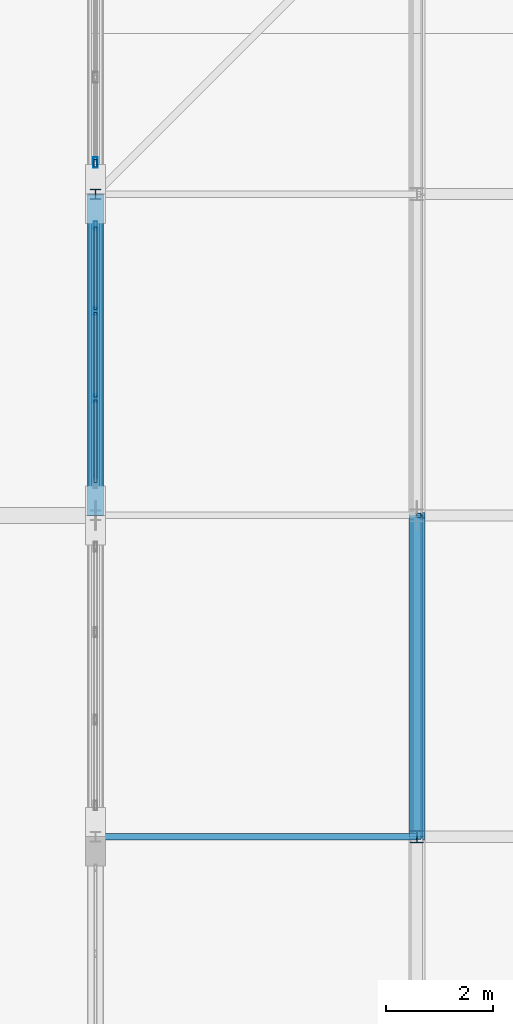
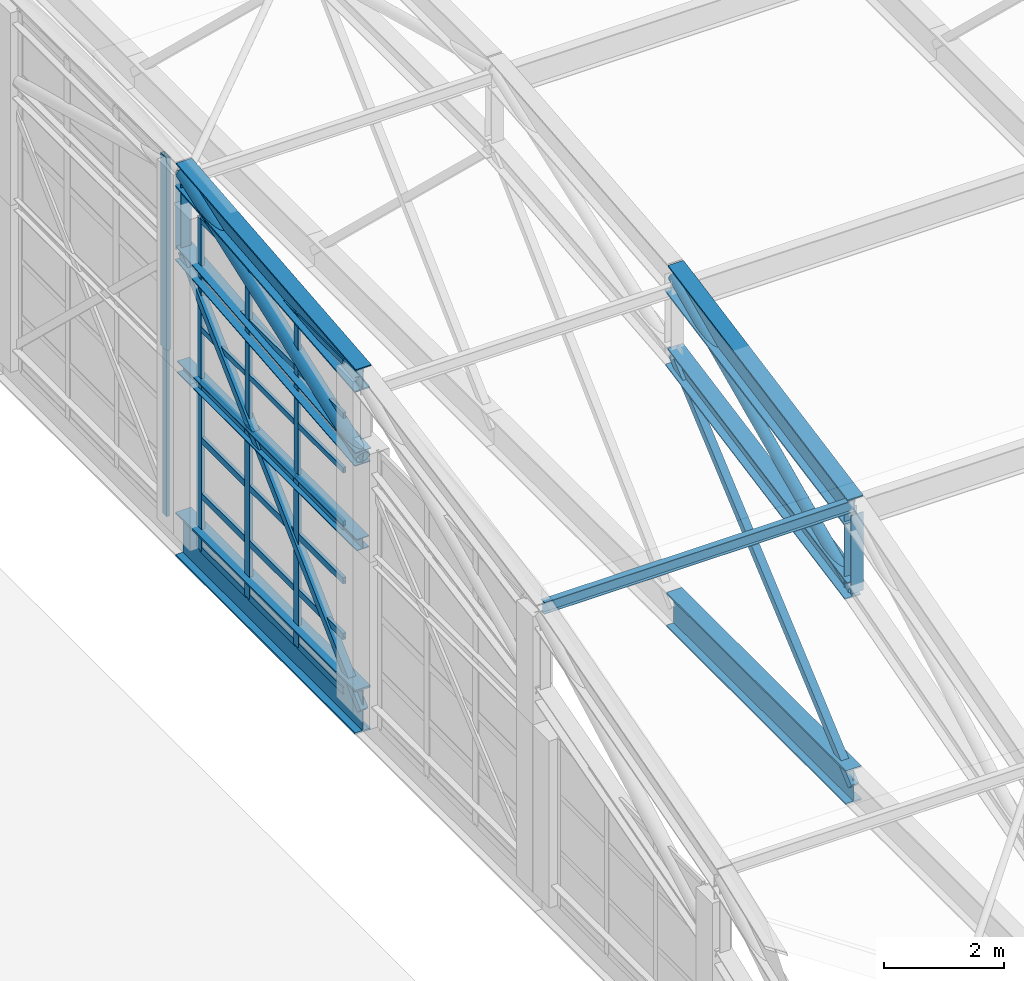
# One storey, part 79 of 204: 46 members, 4 elements without a shape of their own.
"""IFC4 building model written with IfcOpenShell, lengths in metres."""

from ifc_helpers import new_model, si_unit, direction, frame, origin, origin_2d, place, context, subcontext, project, spatial, hollow_rectangle, hollow_circle, i_section, extrude, material, layer, layer_set, material_profile, profile_set, type_object, element, aggregate, save


model = new_model("IFC4")

# Units and contexts
model_context = context("Model", 3, precision=1e-05, world=origin(), true_north=direction((0.0, 1.0)))
body_context = subcontext(model_context, "Body", "Model", "MODEL_VIEW")
ifc_project = project(units=[si_unit("LENGTHUNIT", "METRE"), si_unit("AREAUNIT", "SQUARE_METRE"), si_unit("VOLUMEUNIT", "CUBIC_METRE"), si_unit("PLANEANGLEUNIT", "RADIAN"), si_unit("MASSUNIT", "GRAM", prefix="KILO")], contexts=[model_context])

# Site, building, storey
site_placement = place(None, origin())
site = spatial("IfcSite", under=ifc_project, at=site_placement, CompositionType="ELEMENT")
building_placement = place(site_placement, origin())
building = spatial("IfcBuilding", under=site, at=building_placement, Name="Zilviju Railside Exhibition Hall", CompositionType="ELEMENT")
storey_placement = place(building_placement, frame((0.0, 0.0, 21.0)))
storey = spatial("IfcBuildingStorey", under=building, at=storey_placement, Name="RF", CompositionType="ELEMENT", Elevation=21.0)

# Curtain wall, member
ifc_material_1 = material(Name="Thermally broken aluminium-steel triple-glazed curtain wall", Category="steel")
ifc_layer_1 = layer(ifc_material_1, 0.179931640625)
ifc_layer_set_1 = layer_set([ifc_layer_1], Name="Thermally broken aluminium-steel triple-glazed curtain wall")
curtain_wall_type_1 = type_object("IfcCurtainWallType", Name="CW-BAY-03", PredefinedType="USERDEFINED", material=ifc_layer_set_1)
curtain_wall_1_placement = place(storey_placement, origin())
curtain_wall_1 = element("IfcCurtainWall", 1, at=curtain_wall_1_placement, inside=storey, type_object=curtain_wall_type_1, Name="North Hall Arch Lower Tympanum Glazing West P5", ObjectType="GLAZED CURTAIN WALL", PredefinedType="USERDEFINED")
ifc_material_2 = material(Name="Thermally broken anodized aluminium mullion", Category="aluminium")
ifc_material_profile_1 = material_profile(ifc_material_2, hollow_rectangle(XDim=0.06005859375, YDim=0.139892578125, WallThickness=0.0048828125, at=origin_2d()), Name="MULLION 140x60x5")
ifc_profile_set_1 = profile_set([ifc_material_profile_1], Name="Thermally broken anodized aluminium mullion")
member_type_1 = type_object("IfcMemberType", Name="CWM-60x140", PredefinedType="MULLION", material=ifc_profile_set_1)
member_1_placement = place(storey_placement, frame((78.0, 108.580078125, -3.60009765625), z_axis=(0.0, 0.0, 1.0), x_axis=(-1.0, 0.0, 0.0)))
member_1 = element("IfcMember", 2, at=member_1_placement, type_object=member_type_1, Name="CW-03 mullion 1", PredefinedType="MULLION", context=body_context, shape_type="SweptSolid", body=[
    extrude(hollow_rectangle(XDim=0.06005859375, YDim=0.139892578125, WallThickness=0.0048828125, at=origin_2d()), origin(), (0.0, 0.0, 1.0), 3.400146484375),
])
aggregate(curtain_wall_1, [member_1])

# Curtain wall, members
ifc_layer_2 = layer(ifc_material_1, 0.179931640625)
ifc_layer_set_2 = layer_set([ifc_layer_2], Name="Thermally broken aluminium-steel triple-glazed curtain wall")
curtain_wall_type_2 = type_object("IfcCurtainWallType", Name="CW-BAY-09", PredefinedType="USERDEFINED", material=ifc_layer_set_2)
curtain_wall_2_placement = place(storey_placement, origin())
curtain_wall_2 = element("IfcCurtainWall", 3, at=curtain_wall_2_placement, inside=storey, type_object=curtain_wall_type_2, Name="North Hall Crown Arch Tympanum Glazing West P4", ObjectType="GLAZED CURTAIN WALL", PredefinedType="USERDEFINED")
member_2_placement = place(storey_placement, frame((78.0, 104.183349609375, -0.199951171875), z_axis=(0.0, 0.0, 1.0), x_axis=(-1.0, 0.0, 0.0)))
member_2 = element("IfcMember", 4, at=member_2_placement, type_object=member_type_1, Name="CW-09 mullion 2", PredefinedType="MULLION", context=body_context, shape_type="SweptSolid", body=[
    extrude(hollow_rectangle(XDim=0.06005859375, YDim=0.139892578125, WallThickness=0.0048828125, at=origin_2d()), origin(), (0.0, 0.0, 1.0), 3.35546875),
])
member_3_placement = place(storey_placement, frame((78.0, 105.816650390625, -0.199951171875), z_axis=(0.0, 0.0, 1.0), x_axis=(-1.0, 0.0, 0.0)))
member_3 = element("IfcMember", 5, at=member_3_placement, type_object=member_type_1, Name="CW-09 mullion 3", PredefinedType="MULLION", context=body_context, shape_type="SweptSolid", body=[
    extrude(hollow_rectangle(XDim=0.06005859375, YDim=0.139892578125, WallThickness=0.0048828125, at=origin_2d()), origin(), (0.0, 0.0, 1.0), 3.35546875),
])
member_4_placement = place(storey_placement, frame((78.0, 107.419921875, -0.199951171875), z_axis=(0.0, 0.0, 1.0), x_axis=(-1.0, 0.0, 0.0)))
member_4 = element("IfcMember", 6, at=member_4_placement, type_object=member_type_1, Name="CW-09 mullion 4", PredefinedType="MULLION", context=body_context, shape_type="SweptSolid", body=[
    extrude(hollow_rectangle(XDim=0.06005859375, YDim=0.139892578125, WallThickness=0.0048828125, at=origin_2d()), origin(), (0.0, 0.0, 1.0), 3.35546875),
])

ifc_layer_3 = layer(ifc_material_1, 0.179931640625)
ifc_layer_set_3 = layer_set([ifc_layer_3], Name="Thermally broken aluminium-steel triple-glazed curtain wall")
curtain_wall_type_3 = type_object("IfcCurtainWallType", Name="CW-BAY-02", PredefinedType="USERDEFINED", material=ifc_layer_set_3)
curtain_wall_3_placement = place(storey_placement, origin())
curtain_wall_3 = element("IfcCurtainWall", 7, at=curtain_wall_3_placement, inside=storey, type_object=curtain_wall_type_3, Name="North Hall Arch Lower Tympanum Glazing West P4", ObjectType="GLAZED CURTAIN WALL", PredefinedType="USERDEFINED")
ifc_material_profile_2 = material_profile(ifc_material_2, hollow_rectangle(XDim=0.06494140625, YDim=0.159912109375, WallThickness=0.0048828125, at=origin_2d()), Name="MULLION 160x65x5")
ifc_profile_set_2 = profile_set([ifc_material_profile_2], Name="Thermally broken anodized aluminium mullion")
member_type_2 = type_object("IfcMemberType", Name="CWM-65x160", PredefinedType="MULLION", material=ifc_profile_set_2)
member_5_placement = place(storey_placement, frame((78.0, 104.183349609375, -3.60009765625), z_axis=(0.0, 0.0, 1.0), x_axis=(-1.0, 0.0, 0.0)))
member_5 = element("IfcMember", 8, at=member_5_placement, type_object=member_type_2, Name="CW-02 mullion 2", PredefinedType="MULLION", context=body_context, shape_type="SweptSolid", body=[
    extrude(hollow_rectangle(XDim=0.06494140625, YDim=0.159912109375, WallThickness=0.0048828125, at=origin_2d()), origin(), (0.0, 0.0, 1.0), 3.400146484375),
])
member_6_placement = place(storey_placement, frame((78.0, 105.816650390625, -3.60009765625), z_axis=(0.0, 0.0, 1.0), x_axis=(-1.0, 0.0, 0.0)))
member_6 = element("IfcMember", 9, at=member_6_placement, type_object=member_type_2, Name="CW-02 mullion 3", PredefinedType="MULLION", context=body_context, shape_type="SweptSolid", body=[
    extrude(hollow_rectangle(XDim=0.06494140625, YDim=0.159912109375, WallThickness=0.0048828125, at=origin_2d()), origin(), (0.0, 0.0, 1.0), 3.400146484375),
])
member_7_placement = place(storey_placement, frame((78.0, 107.41748046875, -3.60009765625), z_axis=(0.0, 0.0, 1.0), x_axis=(-1.0, 0.0, 0.0)))
member_7 = element("IfcMember", 10, at=member_7_placement, type_object=member_type_2, Name="CW-02 mullion 4", PredefinedType="MULLION", context=body_context, shape_type="SweptSolid", body=[
    extrude(hollow_rectangle(XDim=0.06494140625, YDim=0.159912109375, WallThickness=0.0048828125, at=origin_2d()), origin(), (0.0, 0.0, 1.0), 3.400146484375),
])

# Curtain wall, member
ifc_layer_4 = layer(ifc_material_1, 0.179931640625)
ifc_layer_set_4 = layer_set([ifc_layer_4], Name="Thermally broken aluminium-steel triple-glazed curtain wall")
curtain_wall_type_4 = type_object("IfcCurtainWallType", Name="CW-BAY-10", PredefinedType="USERDEFINED", material=ifc_layer_set_4)
curtain_wall_4_placement = place(storey_placement, origin())
curtain_wall_4 = element("IfcCurtainWall", 11, at=curtain_wall_4_placement, inside=storey, type_object=curtain_wall_type_4, Name="North Hall Crown Arch Tympanum Glazing West P5", ObjectType="GLAZED CURTAIN WALL", PredefinedType="USERDEFINED")
ifc_material_profile_3 = material_profile(ifc_material_2, hollow_rectangle(XDim=0.080078125, YDim=0.199951171875, WallThickness=0.0048828125, at=origin_2d()), Name="MULLION 200x80x5")
ifc_profile_set_3 = profile_set([ifc_material_profile_3], Name="Thermally broken anodized aluminium mullion")
member_type_3 = type_object("IfcMemberType", Name="CWM-80x200", PredefinedType="MULLION", material=ifc_profile_set_3)
member_8_placement = place(storey_placement, frame((78.0, 108.590087890625, -0.199951171875), z_axis=(0.0, 0.0, 1.0), x_axis=(-1.0, 0.0, 0.0)))
member_8 = element("IfcMember", 12, at=member_8_placement, type_object=member_type_3, Name="CW-10 mullion 1", PredefinedType="MULLION", context=body_context, shape_type="SweptSolid", body=[
    extrude(hollow_rectangle(XDim=0.080078125, YDim=0.199951171875, WallThickness=0.0048828125, at=origin_2d()), origin(), (0.0, 0.0, 1.0), 3.928466796875),
])
aggregate(curtain_wall_4, [member_8])

# Member
ifc_material_3 = material(Name="Thermally broken anodized aluminium transom", Category="aluminium")
ifc_material_profile_4 = material_profile(ifc_material_3, hollow_rectangle(XDim=0.06005859375, YDim=0.110107421875, WallThickness=0.0048828125, at=origin_2d()), Name="TRANSOM 110x60x5")
ifc_profile_set_4 = profile_set([ifc_material_profile_4], Name="Thermally broken anodized aluminium transom")
member_type_4 = type_object("IfcMemberType", Name="CWT-60x110", PredefinedType="USERDEFINED", material=ifc_profile_set_4)
member_9_placement = place(storey_placement, frame((78.0, 102.610107421875, -0.169921875), z_axis=(0.0, 1.0, 0.0), x_axis=(-1.0, 0.0, 0.0)))
member_9 = element("IfcMember", 13, at=member_9_placement, type_object=member_type_4, Name="CW-09 transom 1.1", ObjectType="TRANSOM", PredefinedType="USERDEFINED", context=body_context, shape_type="SweptSolid", body=[
    extrude(hollow_rectangle(XDim=0.06005859375, YDim=0.110107421875, WallThickness=0.0048828125, at=origin_2d()), origin(), (0.0, 0.0, 1.0), 1.543212890625),
])

member_10_placement = place(storey_placement, frame((78.0, 102.610107421875, 0.9189453125), z_axis=(0.0, 1.0, 0.0), x_axis=(-1.0, 0.0, 0.0)))
member_10 = element("IfcMember", 14, at=member_10_placement, type_object=member_type_4, Name="CW-09 transom 1.2", ObjectType="TRANSOM", PredefinedType="USERDEFINED", context=body_context, shape_type="SweptSolid", body=[
    extrude(hollow_rectangle(XDim=0.06005859375, YDim=0.110107421875, WallThickness=0.0048828125, at=origin_2d()), origin(), (0.0, 0.0, 1.0), 1.543212890625),
])

member_11_placement = place(storey_placement, frame((78.0, 102.610107421875, 2.037109375), z_axis=(0.0, 1.0, 0.0), x_axis=(-1.0, 0.0, 0.0)))
member_11 = element("IfcMember", 15, at=member_11_placement, type_object=member_type_4, Name="CW-09 transom 1.3", ObjectType="TRANSOM", PredefinedType="USERDEFINED", context=body_context, shape_type="SweptSolid", body=[
    extrude(hollow_rectangle(XDim=0.06005859375, YDim=0.110107421875, WallThickness=0.0048828125, at=origin_2d()), origin(), (0.0, 0.0, 1.0), 1.543212890625),
])

member_12_placement = place(storey_placement, frame((78.0, 102.610107421875, 3.12548828125), z_axis=(0.0, 1.0, 0.0), x_axis=(-1.0, 0.0, 0.0)))
member_12 = element("IfcMember", 16, at=member_12_placement, type_object=member_type_4, Name="CW-09 transom 1.4", ObjectType="TRANSOM", PredefinedType="USERDEFINED", context=body_context, shape_type="SweptSolid", body=[
    extrude(hollow_rectangle(XDim=0.06005859375, YDim=0.110107421875, WallThickness=0.0048828125, at=origin_2d()), origin(), (0.0, 0.0, 1.0), 1.543212890625),
])

member_13_placement = place(storey_placement, frame((78.0, 104.21337890625, -0.169921875), z_axis=(0.0, 1.0, 0.0), x_axis=(-1.0, 0.0, 0.0)))
member_13 = element("IfcMember", 17, at=member_13_placement, type_object=member_type_4, Name="CW-09 transom 2.1", ObjectType="TRANSOM", PredefinedType="USERDEFINED", context=body_context, shape_type="SweptSolid", body=[
    extrude(hollow_rectangle(XDim=0.06005859375, YDim=0.110107421875, WallThickness=0.0048828125, at=origin_2d()), origin(), (0.0, 0.0, 1.0), 1.5732421875),
])

member_14_placement = place(storey_placement, frame((78.0, 104.21337890625, 0.9189453125), z_axis=(0.0, 1.0, 0.0), x_axis=(-1.0, 0.0, 0.0)))
member_14 = element("IfcMember", 18, at=member_14_placement, type_object=member_type_4, Name="CW-09 transom 2.2", ObjectType="TRANSOM", PredefinedType="USERDEFINED", context=body_context, shape_type="SweptSolid", body=[
    extrude(hollow_rectangle(XDim=0.06005859375, YDim=0.110107421875, WallThickness=0.0048828125, at=origin_2d()), origin(), (0.0, 0.0, 1.0), 1.5732421875),
])

member_15_placement = place(storey_placement, frame((78.0, 104.21337890625, 2.037109375), z_axis=(0.0, 1.0, 0.0), x_axis=(-1.0, 0.0, 0.0)))
member_15 = element("IfcMember", 19, at=member_15_placement, type_object=member_type_4, Name="CW-09 transom 2.3", ObjectType="TRANSOM", PredefinedType="USERDEFINED", context=body_context, shape_type="SweptSolid", body=[
    extrude(hollow_rectangle(XDim=0.06005859375, YDim=0.110107421875, WallThickness=0.0048828125, at=origin_2d()), origin(), (0.0, 0.0, 1.0), 1.5732421875),
])

member_16_placement = place(storey_placement, frame((78.0, 104.21337890625, 3.12548828125), z_axis=(0.0, 1.0, 0.0), x_axis=(-1.0, 0.0, 0.0)))
member_16 = element("IfcMember", 20, at=member_16_placement, type_object=member_type_4, Name="CW-09 transom 2.4", ObjectType="TRANSOM", PredefinedType="USERDEFINED", context=body_context, shape_type="SweptSolid", body=[
    extrude(hollow_rectangle(XDim=0.06005859375, YDim=0.110107421875, WallThickness=0.0048828125, at=origin_2d()), origin(), (0.0, 0.0, 1.0), 1.5732421875),
])

member_17_placement = place(storey_placement, frame((78.0, 105.8466796875, -0.169921875), z_axis=(0.0, 1.0, 0.0), x_axis=(-1.0, 0.0, 0.0)))
member_17 = element("IfcMember", 21, at=member_17_placement, type_object=member_type_4, Name="CW-09 transom 3.1", ObjectType="TRANSOM", PredefinedType="USERDEFINED", context=body_context, shape_type="SweptSolid", body=[
    extrude(hollow_rectangle(XDim=0.06005859375, YDim=0.110107421875, WallThickness=0.0048828125, at=origin_2d()), origin(), (0.0, 0.0, 1.0), 1.543212890625),
])

member_18_placement = place(storey_placement, frame((78.0, 105.8466796875, 0.9189453125), z_axis=(0.0, 1.0, 0.0), x_axis=(-1.0, 0.0, 0.0)))
member_18 = element("IfcMember", 22, at=member_18_placement, type_object=member_type_4, Name="CW-09 transom 3.2", ObjectType="TRANSOM", PredefinedType="USERDEFINED", context=body_context, shape_type="SweptSolid", body=[
    extrude(hollow_rectangle(XDim=0.06005859375, YDim=0.110107421875, WallThickness=0.0048828125, at=origin_2d()), origin(), (0.0, 0.0, 1.0), 1.543212890625),
])

member_19_placement = place(storey_placement, frame((78.0, 105.8466796875, 2.037109375), z_axis=(0.0, 1.0, 0.0), x_axis=(-1.0, 0.0, 0.0)))
member_19 = element("IfcMember", 23, at=member_19_placement, type_object=member_type_4, Name="CW-09 transom 3.3", ObjectType="TRANSOM", PredefinedType="USERDEFINED", context=body_context, shape_type="SweptSolid", body=[
    extrude(hollow_rectangle(XDim=0.06005859375, YDim=0.110107421875, WallThickness=0.0048828125, at=origin_2d()), origin(), (0.0, 0.0, 1.0), 1.543212890625),
])

member_20_placement = place(storey_placement, frame((78.0, 105.8466796875, 3.12548828125), z_axis=(0.0, 1.0, 0.0), x_axis=(-1.0, 0.0, 0.0)))
member_20 = element("IfcMember", 24, at=member_20_placement, type_object=member_type_4, Name="CW-09 transom 3.4", ObjectType="TRANSOM", PredefinedType="USERDEFINED", context=body_context, shape_type="SweptSolid", body=[
    extrude(hollow_rectangle(XDim=0.06005859375, YDim=0.110107421875, WallThickness=0.0048828125, at=origin_2d()), origin(), (0.0, 0.0, 1.0), 1.543212890625),
])

aggregate(curtain_wall_2, [member_2, member_3, member_4, member_9, member_10, member_11, member_12, member_13, member_14, member_15, member_16, member_17, member_18, member_19, member_20])

ifc_material_profile_5 = material_profile(ifc_material_3, hollow_rectangle(XDim=0.06494140625, YDim=0.1298828125, WallThickness=0.0048828125, at=origin_2d()), Name="TRANSOM 130x65x5")
ifc_profile_set_5 = profile_set([ifc_material_profile_5], Name="Thermally broken anodized aluminium transom")
member_type_5 = type_object("IfcMemberType", Name="CWT-65x130", PredefinedType="USERDEFINED", material=ifc_profile_set_5)
member_21_placement = place(storey_placement, frame((78.0, 102.614990234375, -3.5673828125), z_axis=(0.0, 1.0, 0.0), x_axis=(-1.0, 0.0, 0.0)))
member_21 = element("IfcMember", 25, at=member_21_placement, type_object=member_type_5, Name="CW-02 transom 1.1", ObjectType="TRANSOM", PredefinedType="USERDEFINED", context=body_context, shape_type="SweptSolid", body=[
    extrude(hollow_rectangle(XDim=0.06494140625, YDim=0.1298828125, WallThickness=0.0048828125, at=origin_2d()), origin(), (0.0, 0.0, 1.0), 1.535888671875),
])

member_22_placement = place(storey_placement, frame((78.0, 102.614990234375, -2.467041015625), z_axis=(0.0, 1.0, 0.0), x_axis=(-1.0, 0.0, 0.0)))
member_22 = element("IfcMember", 26, at=member_22_placement, type_object=member_type_5, Name="CW-02 transom 1.2", ObjectType="TRANSOM", PredefinedType="USERDEFINED", context=body_context, shape_type="SweptSolid", body=[
    extrude(hollow_rectangle(XDim=0.06494140625, YDim=0.1298828125, WallThickness=0.0048828125, at=origin_2d()), origin(), (0.0, 0.0, 1.0), 1.535888671875),
])

member_23_placement = place(storey_placement, frame((78.0, 102.614990234375, -1.3330078125), z_axis=(0.0, 1.0, 0.0), x_axis=(-1.0, 0.0, 0.0)))
member_23 = element("IfcMember", 27, at=member_23_placement, type_object=member_type_5, Name="CW-02 transom 1.3", ObjectType="TRANSOM", PredefinedType="USERDEFINED", context=body_context, shape_type="SweptSolid", body=[
    extrude(hollow_rectangle(XDim=0.06494140625, YDim=0.1298828125, WallThickness=0.0048828125, at=origin_2d()), origin(), (0.0, 0.0, 1.0), 1.535888671875),
])

member_24_placement = place(storey_placement, frame((78.0, 102.614990234375, -0.232421875), z_axis=(0.0, 1.0, 0.0), x_axis=(-1.0, 0.0, 0.0)))
member_24 = element("IfcMember", 28, at=member_24_placement, type_object=member_type_5, Name="CW-02 transom 1.4", ObjectType="TRANSOM", PredefinedType="USERDEFINED", context=body_context, shape_type="SweptSolid", body=[
    extrude(hollow_rectangle(XDim=0.06494140625, YDim=0.1298828125, WallThickness=0.0048828125, at=origin_2d()), origin(), (0.0, 0.0, 1.0), 1.535888671875),
])

member_25_placement = place(storey_placement, frame((78.0, 104.2158203125, -3.5673828125), z_axis=(0.0, 1.0, 0.0), x_axis=(-1.0, 0.0, 0.0)))
member_25 = element("IfcMember", 29, at=member_25_placement, type_object=member_type_5, Name="CW-02 transom 2.1", ObjectType="TRANSOM", PredefinedType="USERDEFINED", context=body_context, shape_type="SweptSolid", body=[
    extrude(hollow_rectangle(XDim=0.06494140625, YDim=0.1298828125, WallThickness=0.0048828125, at=origin_2d()), origin(), (0.0, 0.0, 1.0), 1.568359375),
])

member_26_placement = place(storey_placement, frame((78.0, 104.2158203125, -2.467041015625), z_axis=(0.0, 1.0, 0.0), x_axis=(-1.0, 0.0, 0.0)))
member_26 = element("IfcMember", 30, at=member_26_placement, type_object=member_type_5, Name="CW-02 transom 2.2", ObjectType="TRANSOM", PredefinedType="USERDEFINED", context=body_context, shape_type="SweptSolid", body=[
    extrude(hollow_rectangle(XDim=0.06494140625, YDim=0.1298828125, WallThickness=0.0048828125, at=origin_2d()), origin(), (0.0, 0.0, 1.0), 1.568359375),
])

member_27_placement = place(storey_placement, frame((78.0, 104.2158203125, -1.3330078125), z_axis=(0.0, 1.0, 0.0), x_axis=(-1.0, 0.0, 0.0)))
member_27 = element("IfcMember", 31, at=member_27_placement, type_object=member_type_5, Name="CW-02 transom 2.3", ObjectType="TRANSOM", PredefinedType="USERDEFINED", context=body_context, shape_type="SweptSolid", body=[
    extrude(hollow_rectangle(XDim=0.06494140625, YDim=0.1298828125, WallThickness=0.0048828125, at=origin_2d()), origin(), (0.0, 0.0, 1.0), 1.568359375),
])

member_28_placement = place(storey_placement, frame((78.0, 104.2158203125, -0.232421875), z_axis=(0.0, 1.0, 0.0), x_axis=(-1.0, 0.0, 0.0)))
member_28 = element("IfcMember", 32, at=member_28_placement, type_object=member_type_5, Name="CW-02 transom 2.4", ObjectType="TRANSOM", PredefinedType="USERDEFINED", context=body_context, shape_type="SweptSolid", body=[
    extrude(hollow_rectangle(XDim=0.06494140625, YDim=0.1298828125, WallThickness=0.0048828125, at=origin_2d()), origin(), (0.0, 0.0, 1.0), 1.568359375),
])

member_29_placement = place(storey_placement, frame((78.0, 105.84912109375, -3.5673828125), z_axis=(0.0, 1.0, 0.0), x_axis=(-1.0, 0.0, 0.0)))
member_29 = element("IfcMember", 33, at=member_29_placement, type_object=member_type_5, Name="CW-02 transom 3.1", ObjectType="TRANSOM", PredefinedType="USERDEFINED", context=body_context, shape_type="SweptSolid", body=[
    extrude(hollow_rectangle(XDim=0.06494140625, YDim=0.1298828125, WallThickness=0.0048828125, at=origin_2d()), origin(), (0.0, 0.0, 1.0), 1.535888671875),
])

member_30_placement = place(storey_placement, frame((78.0, 105.84912109375, -2.467041015625), z_axis=(0.0, 1.0, 0.0), x_axis=(-1.0, 0.0, 0.0)))
member_30 = element("IfcMember", 34, at=member_30_placement, type_object=member_type_5, Name="CW-02 transom 3.2", ObjectType="TRANSOM", PredefinedType="USERDEFINED", context=body_context, shape_type="SweptSolid", body=[
    extrude(hollow_rectangle(XDim=0.06494140625, YDim=0.1298828125, WallThickness=0.0048828125, at=origin_2d()), origin(), (0.0, 0.0, 1.0), 1.535888671875),
])

member_31_placement = place(storey_placement, frame((78.0, 105.84912109375, -1.3330078125), z_axis=(0.0, 1.0, 0.0), x_axis=(-1.0, 0.0, 0.0)))
member_31 = element("IfcMember", 35, at=member_31_placement, type_object=member_type_5, Name="CW-02 transom 3.3", ObjectType="TRANSOM", PredefinedType="USERDEFINED", context=body_context, shape_type="SweptSolid", body=[
    extrude(hollow_rectangle(XDim=0.06494140625, YDim=0.1298828125, WallThickness=0.0048828125, at=origin_2d()), origin(), (0.0, 0.0, 1.0), 1.535888671875),
])

member_32_placement = place(storey_placement, frame((78.0, 105.84912109375, -0.232421875), z_axis=(0.0, 1.0, 0.0), x_axis=(-1.0, 0.0, 0.0)))
member_32 = element("IfcMember", 36, at=member_32_placement, type_object=member_type_5, Name="CW-02 transom 3.4", ObjectType="TRANSOM", PredefinedType="USERDEFINED", context=body_context, shape_type="SweptSolid", body=[
    extrude(hollow_rectangle(XDim=0.06494140625, YDim=0.1298828125, WallThickness=0.0048828125, at=origin_2d()), origin(), (0.0, 0.0, 1.0), 1.535888671875),
])

aggregate(curtain_wall_3, [member_5, member_6, member_7, member_21, member_22, member_23, member_24, member_25, member_26, member_27, member_28, member_29, member_30, member_31, member_32])

# Members
ifc_material_4 = material(Name="Steel S355J2", Category="steel")
ifc_material_profile_6 = material_profile(ifc_material_4, hollow_circle(Radius=0.109619140625, WallThickness=0.010009765625, at=origin_2d()), Name="CHS 219.1x10.0")
ifc_profile_set_6 = profile_set([ifc_material_profile_6], Name="Steel S355J2")
member_type_6 = type_object("IfcMemberType", Name="TR-BR-CHS219", PredefinedType="BRACE", material=ifc_profile_set_6)
member_33_placement = place(storey_placement, frame((84.0, 96.0, 0.409912109375), z_axis=(0.0, 0.909316915895, 0.416104249518), x_axis=(-1.0, 0.0, 0.0)))
element("IfcMember", 37, at=member_33_placement, inside=storey, type_object=member_type_6, Name="V2 Parabolic Arch Web Diagonal X=84.0 P3", PredefinedType="BRACE", context=body_context, shape_type="SweptSolid", body=[
    extrude(hollow_circle(Radius=0.109619140625, WallThickness=0.010009765625, at=origin_2d()), origin(), (0.0, 0.0, 1.0), 6.598388671875),
])
ifc_material_5 = material(Name="Steel S355ML", Category="steel")
ifc_material_profile_7 = material_profile(ifc_material_5, hollow_circle(Radius=0.136474609375, WallThickness=0.012451171875, at=origin_2d()), Name="CHS 273.0x12.5")
ifc_profile_set_7 = profile_set([ifc_material_profile_7], Name="Steel S355ML")
member_type_7 = type_object("IfcMemberType", Name="TR-BR-CHS273", PredefinedType="BRACE", material=ifc_profile_set_7)
member_34_placement = place(storey_placement, frame((78.0, 102.0, 1.5556640625), z_axis=(0.0, 0.940243888255, 0.340501733621), x_axis=(-1.0, 0.0, 0.0)))
element("IfcMember", 38, at=member_34_placement, inside=storey, type_object=member_type_7, Name="V2 Parabolic Arch Web Diagonal X=78.0 P4", PredefinedType="BRACE", context=body_context, shape_type="SweptSolid", body=[
    extrude(hollow_circle(Radius=0.136474609375, WallThickness=0.012451171875, at=origin_2d()), origin(), (0.0, 0.0, 1.0), 6.38134765625),
])
ifc_material_profile_8 = material_profile(ifc_material_4, i_section(OverallWidth=0.239990234375, OverallDepth=0.239990234375, WebThickness=0.010009765625, FlangeThickness=0.01708984375, at=origin_2d()), Name="HEB 240")
ifc_profile_set_8 = profile_set([ifc_material_profile_8], Name="Steel S355J2")
member_type_8 = type_object("IfcMemberType", Name="TR-CH-HEB240", PredefinedType="CHORD", material=ifc_profile_set_8)
member_35_placement = place(storey_placement, frame((78.0, 102.0, -0.199951171875), z_axis=(0.0, 1.0, 0.0), x_axis=(-1.0, 0.0, 0.0)))
element("IfcMember", 39, at=member_35_placement, inside=storey, type_object=member_type_8, Name="V2 Crown Gable Transom X=78.0 (102..108)", PredefinedType="CHORD", context=body_context, shape_type="SweptSolid", body=[
    extrude(i_section(OverallWidth=0.239990234375, OverallDepth=0.239990234375, WebThickness=0.010009765625, FlangeThickness=0.01708984375, at=origin_2d()), origin(), (0.0, 0.0, 1.0), 6.0),
])
ifc_material_profile_9 = material_profile(ifc_material_5, i_section(OverallWidth=0.300048828125, OverallDepth=0.300048828125, WebThickness=0.010986328125, FlangeThickness=0.01904296875, at=origin_2d()), Name="HEB 300")
ifc_profile_set_9 = profile_set([ifc_material_profile_9], Name="Steel S355ML")
member_type_9 = type_object("IfcMemberType", Name="TR-CH-HEB300", PredefinedType="CHORD", material=ifc_profile_set_9)
member_36_placement = place(storey_placement, frame((78.0, 102.0, 1.5556640625), z_axis=(0.0, 0.995474695123, 0.095027003367), x_axis=(-1.0, 0.0, 0.0)))
element("IfcMember", 40, at=member_36_placement, inside=storey, type_object=member_type_9, Name="V2 Parabolic Arch Bottom Chord X=78.0 P4", PredefinedType="CHORD", context=body_context, shape_type="SweptSolid", body=[
    extrude(i_section(OverallWidth=0.300048828125, OverallDepth=0.300048828125, WebThickness=0.010986328125, FlangeThickness=0.01904296875, at=origin_2d()), origin(), (0.0, 0.0, 1.0), 6.02734375),
])
ifc_material_profile_10 = material_profile(ifc_material_4, i_section(OverallWidth=0.300048828125, OverallDepth=0.39990234375, WebThickness=0.013427734375, FlangeThickness=0.02392578125, at=origin_2d()), Name="HEB 400")
ifc_profile_set_10 = profile_set([ifc_material_profile_10], Name="Steel S355J2")
member_type_10 = type_object("IfcMemberType", Name="TR-CH-HEB400", PredefinedType="CHORD", material=ifc_profile_set_10)
member_37_placement = place(storey_placement, frame((84.0, 96.0, 0.409912109375), z_axis=(0.0, 0.98225135267, 0.187569400964), x_axis=(-1.0, 0.0, 0.0)))
element("IfcMember", 41, at=member_37_placement, inside=storey, type_object=member_type_10, Name="V2 Parabolic Arch Bottom Chord X=84.0 P3", PredefinedType="CHORD", context=body_context, shape_type="SweptSolid", body=[
    extrude(i_section(OverallWidth=0.300048828125, OverallDepth=0.39990234375, WebThickness=0.013427734375, FlangeThickness=0.02392578125, at=origin_2d()), origin(), (0.0, 0.0, 1.0), 6.1083984375),
])
ifc_material_profile_11 = material_profile(ifc_material_5, i_section(OverallWidth=0.300048828125, OverallDepth=0.5, WebThickness=0.014404296875, FlangeThickness=0.028076171875, at=origin_2d()), Name="HEB 500")
ifc_profile_set_11 = profile_set([ifc_material_profile_11], Name="Steel S355ML")
member_type_11 = type_object("IfcMemberType", Name="TR-CH-HEB500-ML", PredefinedType="CHORD", material=ifc_profile_set_11)
member_38_placement = place(storey_placement, frame((78.0, 102.0, 3.155517578125), z_axis=(0.0, 0.995470862587, 0.095067143331), x_axis=(-1.0, 0.0, 0.0)))
element("IfcMember", 42, at=member_38_placement, inside=storey, type_object=member_type_11, Name="V2 Parabolic Arch Top Chord X=78.0 P4", PredefinedType="CHORD", context=body_context, shape_type="SweptSolid", body=[
    extrude(i_section(OverallWidth=0.300048828125, OverallDepth=0.5, WebThickness=0.014404296875, FlangeThickness=0.028076171875, at=origin_2d()), origin(), (0.0, 0.0, 1.0), 6.02734375),
])
ifc_material_profile_12 = material_profile(ifc_material_4, i_section(OverallWidth=0.300048828125, OverallDepth=0.60009765625, WebThickness=0.015380859375, FlangeThickness=0.030029296875, at=origin_2d()), Name="HEB 600")
ifc_profile_set_12 = profile_set([ifc_material_profile_12], Name="Steel S355J2")
member_type_12 = type_object("IfcMemberType", Name="TR-CH-HEB600", PredefinedType="CHORD", material=ifc_profile_set_12)
member_39_placement = place(storey_placement, frame((84.0, 96.0, 2.009765625), z_axis=(0.0, 0.98225135267, 0.187569400964), x_axis=(-1.0, 0.0, 0.0)))
element("IfcMember", 43, at=member_39_placement, inside=storey, type_object=member_type_12, Name="V2 Parabolic Arch Top Chord X=84.0 P3", PredefinedType="CHORD", context=body_context, shape_type="SweptSolid", body=[
    extrude(i_section(OverallWidth=0.300048828125, OverallDepth=0.60009765625, WebThickness=0.015380859375, FlangeThickness=0.030029296875, at=origin_2d()), origin(), (0.0, 0.0, 1.0), 6.1083984375),
])
ifc_material_profile_13 = material_profile(ifc_material_5, i_section(OverallWidth=0.199951171875, OverallDepth=0.18994140625, WebThickness=0.006591796875, FlangeThickness=0.010009765625, at=origin_2d()), Name="HEA 200")
ifc_profile_set_13 = profile_set([ifc_material_profile_13], Name="Steel S355ML")
member_type_13 = type_object("IfcMemberType", Name="TR-POST-HEA200", PredefinedType="POST", material=ifc_profile_set_13)
member_40_placement = place(storey_placement, frame((78.0, 108.0, 2.12841796875), z_axis=(0.0, 0.0, 1.0), x_axis=(1.0, 0.0, 0.0)))
element("IfcMember", 44, at=member_40_placement, inside=storey, type_object=member_type_13, Name="V2 Parabolic Arch Web Post X=78.0 N4", PredefinedType="POST", context=body_context, shape_type="SweptSolid", body=[
    extrude(i_section(OverallWidth=0.199951171875, OverallDepth=0.18994140625, WebThickness=0.006591796875, FlangeThickness=0.010009765625, at=origin_2d()), origin(), (0.0, 0.0, 1.0), 1.60009765625),
])
ifc_material_profile_14 = material_profile(ifc_material_4, i_section(OverallWidth=0.239990234375, OverallDepth=0.22998046875, WebThickness=0.007568359375, FlangeThickness=0.011962890625, at=origin_2d()), Name="HEA 240")
ifc_profile_set_14 = profile_set([ifc_material_profile_14], Name="Steel S355J2")
member_type_14 = type_object("IfcMemberType", Name="TR-POST-HEA240", PredefinedType="POST", material=ifc_profile_set_14)
member_41_placement = place(storey_placement, frame((84.0, 96.0, 0.409912109375), z_axis=(0.0, 0.0, 1.0), x_axis=(1.0, 0.0, 0.0)))
element("IfcMember", 45, at=member_41_placement, inside=storey, type_object=member_type_14, Name="V2 Parabolic Arch Web Post X=84.0 N2", PredefinedType="POST", context=body_context, shape_type="SweptSolid", body=[
    extrude(i_section(OverallWidth=0.239990234375, OverallDepth=0.22998046875, WebThickness=0.007568359375, FlangeThickness=0.011962890625, at=origin_2d()), origin(), (0.0, 0.0, 1.0), 1.599853515625),
])
ifc_material_profile_15 = material_profile(ifc_material_4, hollow_rectangle(XDim=0.14990234375, YDim=0.14990234375, WallThickness=0.008056640625, at=origin_2d()), Name="SHS 150x150x8.0")
ifc_profile_set_15 = profile_set([ifc_material_profile_15], Name="Steel S355J2")
member_type_15 = type_object("IfcMemberType", Name="TR-POST-SHS150", PredefinedType="POST", material=ifc_profile_set_15)
member_42_placement = place(storey_placement, frame((78.0, 102.0, -3.60009765625), z_axis=(0.0, 0.723280707221, 0.690554138763), x_axis=(-1.0, 0.0, 0.0)))
element("IfcMember", 46, at=member_42_placement, inside=storey, type_object=member_type_15, Name="V2 Arch Tie Hanger X=78.0 N3", PredefinedType="POST", context=body_context, shape_type="SweptSolid", body=[
    extrude(hollow_rectangle(XDim=0.14990234375, YDim=0.14990234375, WallThickness=0.008056640625, at=origin_2d()), origin(), (0.0, 0.0, 1.0), 8.295654296875),
])
member_43_placement = place(storey_placement, frame((84.0, 96.0, -3.60009765625), z_axis=(0.0, 0.758449992634, 0.651731239602), x_axis=(-1.0, 0.0, 0.0)))
element("IfcMember", 47, at=member_43_placement, inside=storey, type_object=member_type_15, Name="V2 Arch Tie Hanger X=84.0 N2", PredefinedType="POST", context=body_context, shape_type="SweptSolid", body=[
    extrude(hollow_rectangle(XDim=0.14990234375, YDim=0.14990234375, WallThickness=0.008056640625, at=origin_2d()), origin(), (0.0, 0.0, 1.0), 7.910888671875),
])
ifc_material_profile_16 = material_profile(ifc_material_4, i_section(OverallWidth=0.1201171875, OverallDepth=0.239990234375, WebThickness=0.006103515625, FlangeThickness=0.009765625, at=origin_2d()), Name="IPE 240")
ifc_profile_set_16 = profile_set([ifc_material_profile_16], Name="Steel S355J2")
member_type_16 = type_object("IfcMemberType", Name="TR-PUR-IPE240", PredefinedType="PURLIN", material=ifc_profile_set_16)
member_44_placement = place(storey_placement, frame((78.0, 96.0, 2.14306640625), z_axis=(1.0, 0.0, 0.0), x_axis=(0.0, 1.0, 0.0)))
element("IfcMember", 48, at=member_44_placement, inside=storey, type_object=member_type_16, Name="V2 Barrel Vault Roof Purlin Y=96.0 (78.0..84.0)", PredefinedType="PURLIN", context=body_context, shape_type="SweptSolid", body=[
    extrude(i_section(OverallWidth=0.1201171875, OverallDepth=0.239990234375, WebThickness=0.006103515625, FlangeThickness=0.009765625, at=origin_2d()), origin(), (0.0, 0.0, 1.0), 6.0),
])
ifc_material_profile_17 = material_profile(ifc_material_4, i_section(OverallWidth=0.300048828125, OverallDepth=0.699951171875, WebThickness=0.01708984375, FlangeThickness=0.031982421875, at=origin_2d()), Name="HEB 700")
ifc_profile_set_17 = profile_set([ifc_material_profile_17], Name="Steel S355J2")
member_type_17 = type_object("IfcMemberType", Name="TR-TIE-HEB700", PredefinedType="CHORD", material=ifc_profile_set_17)
member_45_placement = place(storey_placement, frame((84.0, 96.0, -3.60009765625), z_axis=(0.0, 1.0, 0.0), x_axis=(-1.0, 0.0, 0.0)))
element("IfcMember", 49, at=member_45_placement, inside=storey, type_object=member_type_17, Name="V2 Arch Tie Member X=84.0", PredefinedType="CHORD", context=body_context, shape_type="SweptSolid", body=[
    extrude(i_section(OverallWidth=0.300048828125, OverallDepth=0.699951171875, WebThickness=0.01708984375, FlangeThickness=0.031982421875, at=origin_2d()), origin(), (0.0, 0.0, 1.0), 6.0),
])
ifc_material_profile_18 = material_profile(ifc_material_4, i_section(OverallWidth=0.300048828125, OverallDepth=0.89990234375, WebThickness=0.0185546875, FlangeThickness=0.034912109375, at=origin_2d()), Name="HEB 900")
ifc_profile_set_18 = profile_set([ifc_material_profile_18], Name="Steel S355J2")
member_type_18 = type_object("IfcMemberType", Name="TR-TIE-HEB900", PredefinedType="CHORD", material=ifc_profile_set_18)
member_46_placement = place(storey_placement, frame((78.0, 102.0, -3.60009765625), z_axis=(0.0, 1.0, 0.0), x_axis=(-1.0, 0.0, 0.0)))
element("IfcMember", 50, at=member_46_placement, inside=storey, type_object=member_type_18, Name="V2 Arch Tie Member X=78.0", PredefinedType="CHORD", context=body_context, shape_type="SweptSolid", body=[
    extrude(i_section(OverallWidth=0.300048828125, OverallDepth=0.89990234375, WebThickness=0.0185546875, FlangeThickness=0.034912109375, at=origin_2d()), origin(), (0.0, 0.0, 1.0), 6.0),
])

save(model, "model.ifc")
